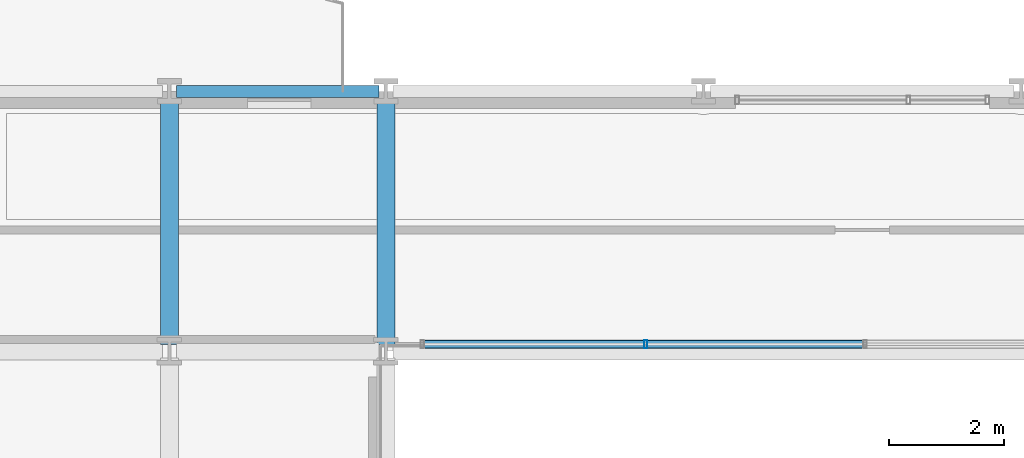
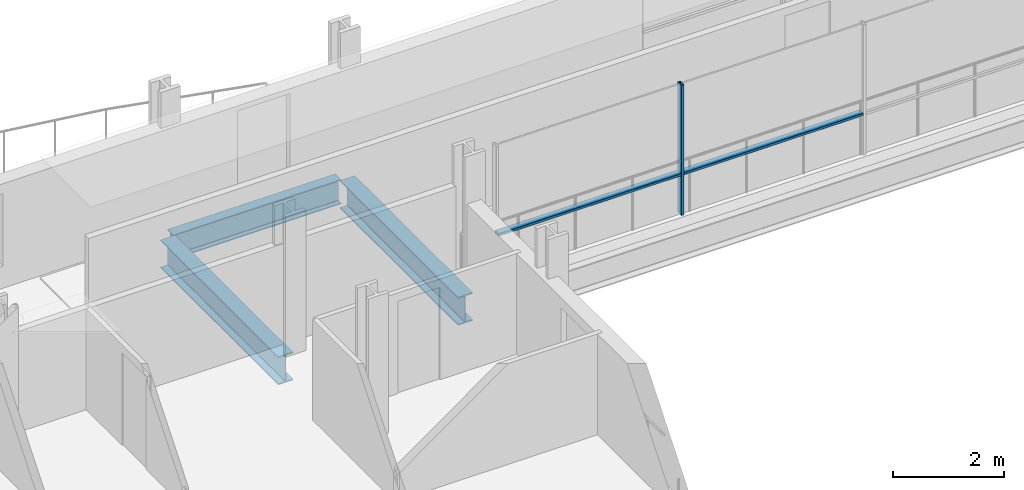
# One storey, part 9 of 38: 3 beams, 3 members, 1 element without a shape of its own.
"""IFC4 building model written with IfcOpenShell, lengths in metres."""

import ifcopenshell
import ifcopenshell.guid

model = None  # the IFC model being written
_history = None  # IfcOwnerHistory: only IFC2X3 demands one
_inside = {}  # id of a spatial element -> (the spatial element, [elements in it])
_under = {}  # id of a project, library or spatial element -> (it, [spatial elements below it])
_declared = {}  # id of a project -> (the project, [libraries it declares])
_typed = {}  # id of a type object -> (the type object, [elements of that type])
_made_of = {}  # id of a material, layer set ... -> (it, [elements and type objects made of it])


def new_model(schema):
    """Start an empty IFC model of exactly this schema.

    Asked for "IFC4X3", IfcOpenShell would pick the latest addendum, in which some entities
    have other attributes; the version numbers below select the first issue.
    IFC2X3 requires an IfcOwnerHistory on every rooted entity: one is made here for all.
    """
    global model, _history
    if schema == "IFC4X3":
        model = ifcopenshell.file(schema_version=(4, 3, 0, 0))
    else:
        model = ifcopenshell.file(schema=schema)
    _inside.clear()
    _under.clear()
    _declared.clear()
    _typed.clear()
    _made_of.clear()
    _history = None
    if model.schema == "IFC2X3":
        org = make("IfcOrganization", Name="unknown")
        user = make(
            "IfcPersonAndOrganization",
            ThePerson=make("IfcPerson", FamilyName="unknown"),
            TheOrganization=org,
        )
        app = make(
            "IfcApplication",
            ApplicationDeveloper=org,
            Version="unknown",
            ApplicationFullName="unknown",
            ApplicationIdentifier="unknown",
        )
        _history = make(
            "IfcOwnerHistory",
            OwningUser=user,
            OwningApplication=app,
            ChangeAction="ADDED",
            CreationDate=0,
        )
    return model


def make(cls, **values):
    """One entity of the class cls with the attributes given. An attribute that is None is left unset."""
    return model.create_entity(
        cls, **{name: value for name, value in values.items() if value is not None}
    )


def rooted(cls, **values):
    """An entity with a GlobalId (a new one), such as an element, a storey or a relation."""
    return make(cls, GlobalId=ifcopenshell.guid.new(), OwnerHistory=_history, **values)


def si_unit(unit_type, name, prefix=None):
    """IfcSIUnit, for example si_unit("LENGTHUNIT", "METRE", prefix="MILLI")."""
    return make("IfcSIUnit", UnitType=unit_type, Prefix=prefix, Name=name)


def assignment(units):
    """IfcUnitAssignment: the units of a project."""
    return None if units is None else make("IfcUnitAssignment", Units=units)


def point(xyz):
    """IfcCartesianPoint."""
    return None if xyz is None else make("IfcCartesianPoint", Coordinates=xyz)


def direction(xyz):
    """IfcDirection."""
    return None if xyz is None else make("IfcDirection", DirectionRatios=xyz)


def frame(location, z_axis=None, x_axis=None):
    """IfcAxis2Placement3D, a coordinate frame: its origin and axes. An axis left out is left unset."""
    return make(
        "IfcAxis2Placement3D",
        Location=point(location),
        Axis=direction(z_axis),
        RefDirection=direction(x_axis),
    )


def frame_2d(location, x_axis=None):
    """IfcAxis2Placement2D, a coordinate frame in the plane: its origin and x axis."""
    return make(
        "IfcAxis2Placement2D", Location=point(location), RefDirection=direction(x_axis)
    )


def origin():
    """The frame at (0, 0, 0) with its axes left unset."""
    return frame((0.0, 0.0, 0.0))


def origin_2d():
    """The frame at (0, 0) in the plane with its x axis left unset."""
    return frame_2d((0.0, 0.0))


def place(relative_to, where):
    """IfcLocalPlacement: puts the frame where relative to a parent placement (None: the world)."""
    return make(
        "IfcLocalPlacement", PlacementRelTo=relative_to, RelativePlacement=where
    )


def context(
    kind, dimensions, precision=None, world=None, true_north=None, identifier=None
):
    """IfcGeometricRepresentationContext, for example the 3D "Model" context."""
    return make(
        "IfcGeometricRepresentationContext",
        ContextIdentifier=identifier,
        ContextType=kind,
        CoordinateSpaceDimension=dimensions,
        Precision=precision,
        WorldCoordinateSystem=world,
        TrueNorth=true_north,
    )


def subcontext(parent, identifier, kind, view, scale=None):
    """IfcGeometricRepresentationSubContext, for example "Body" below "Model"."""
    return make(
        "IfcGeometricRepresentationSubContext",
        ContextIdentifier=identifier,
        ContextType=kind,
        ParentContext=parent,
        TargetScale=scale,
        TargetView=view,
    )


def project(units=None, contexts=None):
    """IfcProject with its units and contexts."""
    return rooted(
        "IfcProject",
        Name="project",
        RepresentationContexts=contexts,
        UnitsInContext=assignment(units),
    )


def spatial(cls, under=None, at=None, **own):
    """A site, building, storey or space (cls), placed at a placement, below another one or the project."""
    s = rooted(cls, ObjectPlacement=at, **own)
    if under is not None:
        _under.setdefault(under.id(), (under, []))[1].append(s)
    return s


def profile(cls, at=None, kind="AREA", **sizes):
    """A parametric profile (cls). Its sizes go by their IFC names, for example OverallWidth=200.0."""
    return make(cls, ProfileType=kind, Position=at, **sizes)


def hollow_rectangle(**sizes):
    """IfcRectangleHollowProfileDef."""
    return profile("IfcRectangleHollowProfileDef", **sizes)


def i_section(**sizes):
    """IfcIShapeProfileDef."""
    return profile("IfcIShapeProfileDef", **sizes)


def extrude(swept, where, along, depth):
    """IfcExtrudedAreaSolid: the profile swept, set in the frame where, extruded along a direction by depth."""
    return make(
        "IfcExtrudedAreaSolid",
        SweptArea=swept,
        Position=where,
        ExtrudedDirection=direction(along),
        Depth=depth,
    )


def shape(context_of_items, identifier, shape_type, items):
    """IfcShapeRepresentation: the items that make up one representation, for example the "Body"."""
    return make(
        "IfcShapeRepresentation",
        ContextOfItems=context_of_items,
        RepresentationIdentifier=identifier,
        RepresentationType=shape_type,
        Items=items,
    )


def material(Name=None, Category=None):
    """IfcMaterial."""
    return make("IfcMaterial", Name=Name, Category=Category)


def layer(
    of_material, thickness, ventilated=None, Name=None, Category=None, Priority=None
):
    """IfcMaterialLayer: one layer of a wall or slab, of a material (None: an air gap)."""
    return make(
        "IfcMaterialLayer",
        Material=of_material,
        LayerThickness=thickness,
        IsVentilated=ventilated,
        Name=Name,
        Category=Category,
        Priority=Priority,
    )


def layer_set(layers, Name=None):
    """IfcMaterialLayerSet."""
    return make("IfcMaterialLayerSet", MaterialLayers=layers, LayerSetName=Name)


def material_profile(
    of_material, cross_section, Name=None, Category=None, Priority=None
):
    """IfcMaterialProfile: a cross section and its material."""
    return make(
        "IfcMaterialProfile",
        Name=Name,
        Material=of_material,
        Profile=cross_section,
        Priority=Priority,
        Category=Category,
    )


def profile_set(profiles, Name=None, composite=None):
    """IfcMaterialProfileSet."""
    return make(
        "IfcMaterialProfileSet",
        Name=Name,
        MaterialProfiles=profiles,
        CompositeProfile=composite,
    )


def made_of(thing, what):
    """Note that an element or type object is made of a material, layer set ...; save() writes the relation."""
    if what is not None:
        _made_of.setdefault(what.id(), (what, []))[1].append(thing)
    return thing


def type_object(cls, material=None, **own):
    """A type object (cls), such as IfcWallType, which elements share."""
    return made_of(rooted(cls, **own), material)


def element(
    cls,
    number,
    at=None,
    inside=None,
    cuts=None,
    type_object=None,
    material=None,
    context=None,
    identifier="Body",
    shape_type=None,
    held_by="IfcProductDefinitionShape",
    body=None,
    shapes=None,
    **own,
):
    """One element of the class cls, such as IfcWall. Its Tag is "e" and its number.

    at: its placement. inside: the storey or other place that contains it. cuts: it is an
    opening in that element (IfcRelVoidsElement). A single representation is given by context,
    identifier, shape_type and body (its items); several are given by shapes. held_by: the class
    of the entity that holds the representations. save() writes the other relations.
    """
    e = rooted(cls, Tag="e%d" % number, ObjectPlacement=at, **own)
    if body is not None:
        shapes = [shape(context, identifier, shape_type, body)]
    if shapes is not None:
        e.Representation = make(held_by, Representations=shapes)
    if inside is not None:
        _inside.setdefault(inside.id(), (inside, []))[1].append(e)
    if cuts is not None:
        rooted(
            "IfcRelVoidsElement", RelatingBuildingElement=cuts, RelatedOpeningElement=e
        )
    if type_object is not None:
        _typed.setdefault(type_object.id(), (type_object, []))[1].append(e)
    return made_of(e, material)


def aggregate(whole, parts):
    """IfcRelAggregates: a whole, such as a stair, and the parts it consists of."""
    return rooted("IfcRelAggregates", RelatingObject=whole, RelatedObjects=parts)


def save(model, path):
    """Write the relations noted so far, then the file.

    IfcRelAggregates (storeys below a building ...), IfcRelContainedInSpatialStructure (elements
    in a storey), IfcRelDefinesByType, IfcRelAssociatesMaterial and IfcRelDeclares: one each for
    every whole, place, type object, material and project.
    """
    for whole, parts in _under.values():
        aggregate(whole, parts)
    for where, things in _inside.values():
        rooted(
            "IfcRelContainedInSpatialStructure",
            RelatedElements=things,
            RelatingStructure=where,
        )
    for kind, things in _typed.values():
        rooted("IfcRelDefinesByType", RelatedObjects=things, RelatingType=kind)
    for what, things in _made_of.values():
        rooted("IfcRelAssociatesMaterial", RelatedObjects=things, RelatingMaterial=what)
    for by, libraries in _declared.values():
        rooted("IfcRelDeclares", RelatingContext=by, RelatedDefinitions=libraries)
    model.write(path)


model = new_model("IFC4")

# Units and contexts
model_context = context("Model", 3, precision=1e-05, world=origin(), true_north=direction((0.0, 1.0)))
body_context = subcontext(model_context, "Body", "Model", "MODEL_VIEW")
ifc_project = project(units=[si_unit("LENGTHUNIT", "METRE"), si_unit("AREAUNIT", "SQUARE_METRE"), si_unit("VOLUMEUNIT", "CUBIC_METRE"), si_unit("PLANEANGLEUNIT", "RADIAN"), si_unit("MASSUNIT", "GRAM", prefix="KILO")], contexts=[model_context])

# Site, building, storey
site_placement = place(None, origin())
site = spatial("IfcSite", under=ifc_project, at=site_placement, CompositionType="ELEMENT")
building_placement = place(site_placement, origin())
building = spatial("IfcBuilding", under=site, at=building_placement, Name="Brevholm Reach", CompositionType="ELEMENT")
storey_placement = place(building_placement, frame((0.0, 0.0, 59.0)))
storey = spatial("IfcBuildingStorey", under=building, at=storey_placement, Name="L16", CompositionType="ELEMENT", Elevation=59.0)

# Beams
ifc_material_1 = material(Name="Structural Steel S355J2", Category="steel")
ifc_material_profile_1 = material_profile(ifc_material_1, i_section(OverallWidth=0.210693359375, OverallDepth=0.53955078125, WebThickness=0.01171875, FlangeThickness=0.018798828125, FilletRadius=0.0126953125, at=origin_2d()), Name="UKB 533x210x109")
ifc_profile_set_1 = profile_set([ifc_material_profile_1], Name="Structural Steel S355J2")
beam_type_1 = type_object("IfcBeamType", Name="BM-SP539", PredefinedType="SPANDREL", material=ifc_profile_set_1)
beam_placement = place(storey_placement, frame((18.1201171875, 31.0, -0.499755859375), z_axis=(1.0, 0.0, 0.0), x_axis=(0.0, 1.0, 0.0)))
element("IfcBeam", 1, at=beam_placement, inside=storey, type_object=beam_type_1, Name="L16 SP-01B Framing Beam", PredefinedType="SPANDREL", context=body_context, shape_type="SweptSolid", body=[
    extrude(i_section(OverallWidth=0.210693359375, OverallDepth=0.53955078125, WebThickness=0.01171875, FlangeThickness=0.018798828125, FilletRadius=0.0126953125, at=origin_2d()), origin(), (0.0, 0.0, 1.0), 3.509765625),
])
ifc_material_2 = material(Name="Structural Steel S355J2", Category="steel")
ifc_material_profile_2 = material_profile(ifc_material_2, i_section(OverallWidth=0.30712890625, OverallDepth=0.6201171875, WebThickness=0.01416015625, FlangeThickness=0.023681640625, FilletRadius=0.0166015625, at=origin_2d()), Name="UKB 610x305x179")
ifc_profile_set_2 = profile_set([ifc_material_profile_2], Name="Structural Steel S355J2")
beam_type_2 = type_object("IfcBeamType", Name="BM-UKB610H", PredefinedType="USERDEFINED", material=ifc_profile_set_2)
for number, where, z_axis, x_axis, name in (
    (2, (18.0, 26.6201171875, -0.5400390625), (0.0, 1.0, 0.0), (-1.0, 0.0, 0.0), "L16 G-06 Framing Beam"),
    (3, (21.75, 26.6201171875, -0.5400390625), (0.0, 1.0, 0.0), (-1.0, 0.0, 0.0), "L16 G-06 Framing Beam"),
):
    element("IfcBeam", number, at=place(storey_placement, frame(where, z_axis=z_axis, x_axis=x_axis)), inside=storey, type_object=beam_type_2, Name=name, ObjectType="GIRDER", PredefinedType="USERDEFINED", context=body_context, shape_type="SweptSolid", body=[
        extrude(i_section(OverallWidth=0.30712890625, OverallDepth=0.6201171875, WebThickness=0.01416015625, FlangeThickness=0.023681640625, FilletRadius=0.0166015625, at=origin_2d()), origin(), (0.0, 0.0, 1.0), 4.259765625),
    ])

# Curtain wall, members
ifc_material_3 = material(Name="Dark Anodised Aluminium 6063-T6 and Solar-Control Glass", Category="aluminium")
ifc_layer = layer(ifc_material_3, 0.139892578125)
ifc_layer_set = layer_set([ifc_layer], Name="Dark Anodised Aluminium 6063-T6 and Solar-Control Glass")
curtain_wall_type = type_object("IfcCurtainWallType", Name="CW-02", PredefinedType="NOTDEFINED", material=ifc_layer_set)
curtain_wall_placement = place(storey_placement, origin())
curtain_wall = element("IfcCurtainWall", 4, at=curtain_wall_placement, inside=storey, type_object=curtain_wall_type, Name="L16 Curtain Wall CW-02", PredefinedType="NOTDEFINED")
ifc_material_4 = material(Name="Dark Anodised Aluminium 6063-T6", Category="aluminium")
ifc_material_profile_3 = material_profile(ifc_material_4, hollow_rectangle(XDim=0.06005859375, YDim=0.139892578125, WallThickness=0.0048828125, InnerFilletRadius=0.0048828125, OuterFilletRadius=0.010009765625, at=origin_2d()), Name="RHS 140x60x5")
ifc_profile_set_3 = profile_set([ifc_material_profile_3], Name="Dark Anodised Aluminium 6063-T6")
member_type_1 = type_object("IfcMemberType", Name="CWM-140", PredefinedType="MULLION", material=ifc_profile_set_3)
member_1_placement = place(storey_placement, frame((26.25, 26.6201171875, 0.0), z_axis=(0.0, 0.0, 1.0), x_axis=(-1.0, 0.0, 0.0)))
member_1 = element("IfcMember", 5, at=member_1_placement, type_object=member_type_1, Name="CM-140 Mullion 4", PredefinedType="MULLION", context=body_context, shape_type="SweptSolid", body=[
    extrude(hollow_rectangle(XDim=0.06005859375, YDim=0.139892578125, WallThickness=0.0048828125, InnerFilletRadius=0.0048828125, OuterFilletRadius=0.010009765625, at=origin_2d()), origin(), (0.0, 0.0, 1.0), 2.8701171875),
])
ifc_material_5 = material(Name="Dark Anodised Aluminium 6063-T6", Category="aluminium")
ifc_material_profile_4 = material_profile(ifc_material_5, hollow_rectangle(XDim=0.06005859375, YDim=0.139892578125, WallThickness=0.0048828125, InnerFilletRadius=0.0048828125, OuterFilletRadius=0.010009765625, at=origin_2d()), Name="RHS 140x60x5")
ifc_profile_set_4 = profile_set([ifc_material_profile_4], Name="Dark Anodised Aluminium 6063-T6")
member_type_2 = type_object("IfcMemberType", Name="CWT-140", PredefinedType="NOTDEFINED", material=ifc_profile_set_4)
member_2_placement = place(storey_placement, frame((30.02001953125, 26.6201171875, 0.89990234375), z_axis=(-1.0, 0.0, 0.0), x_axis=(0.0, 0.0, 1.0)))
member_2 = element("IfcMember", 6, at=member_2_placement, type_object=member_type_2, Name="CT-140 Transom 3.1", ObjectType="TRANSOM", PredefinedType="USERDEFINED", context=body_context, shape_type="SweptSolid", body=[
    extrude(hollow_rectangle(XDim=0.06005859375, YDim=0.139892578125, WallThickness=0.0048828125, InnerFilletRadius=0.0048828125, OuterFilletRadius=0.010009765625, at=origin_2d()), origin(), (0.0, 0.0, 1.0), 3.739990234375),
])
member_3_placement = place(storey_placement, frame((26.219970703125, 26.6201171875, 0.89990234375), z_axis=(-1.0, 0.0, 0.0), x_axis=(0.0, 0.0, 1.0)))
member_3 = element("IfcMember", 7, at=member_3_placement, type_object=member_type_2, Name="CT-140 Transom 4.1", ObjectType="TRANSOM", PredefinedType="USERDEFINED", context=body_context, shape_type="SweptSolid", body=[
    extrude(hollow_rectangle(XDim=0.06005859375, YDim=0.139892578125, WallThickness=0.0048828125, InnerFilletRadius=0.0048828125, OuterFilletRadius=0.010009765625, at=origin_2d()), origin(), (0.0, 0.0, 1.0), 3.81005859375),
])
aggregate(curtain_wall, [member_1, member_2, member_3])

save(model, "model.ifc")
